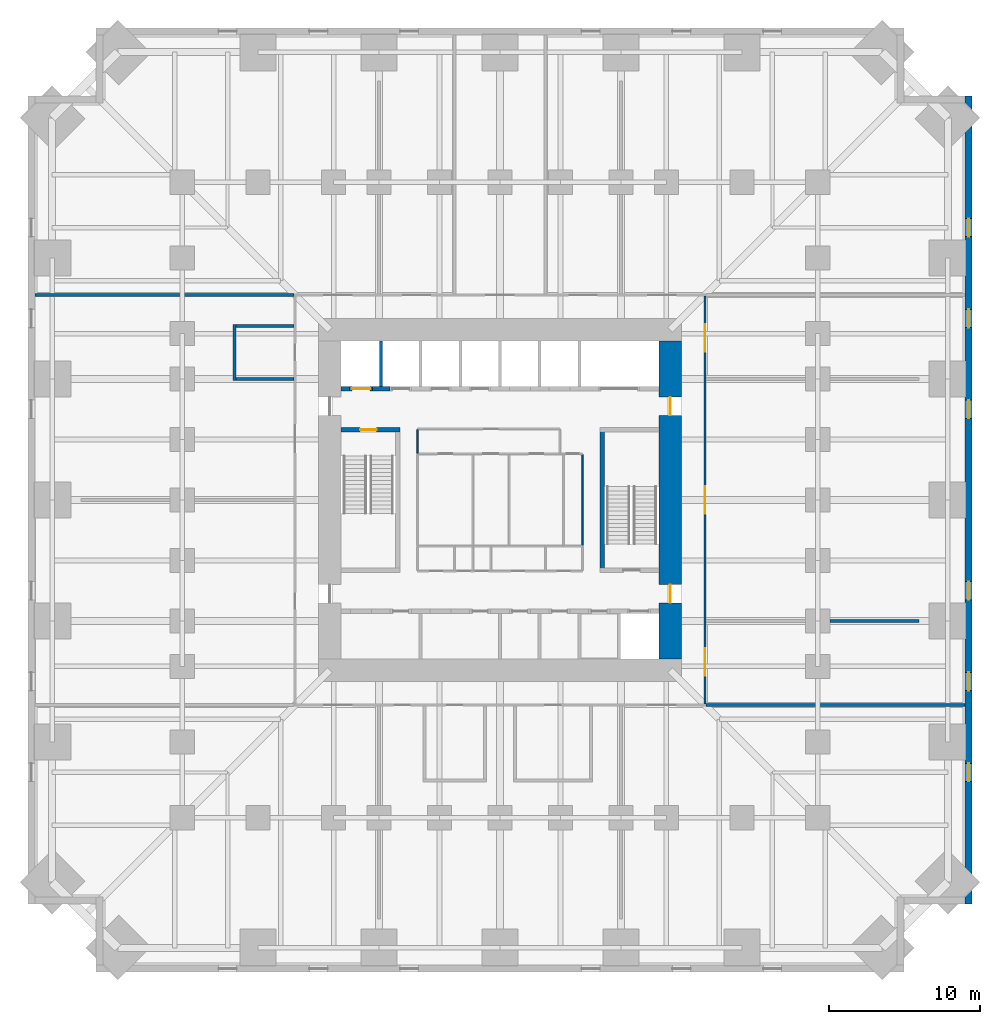
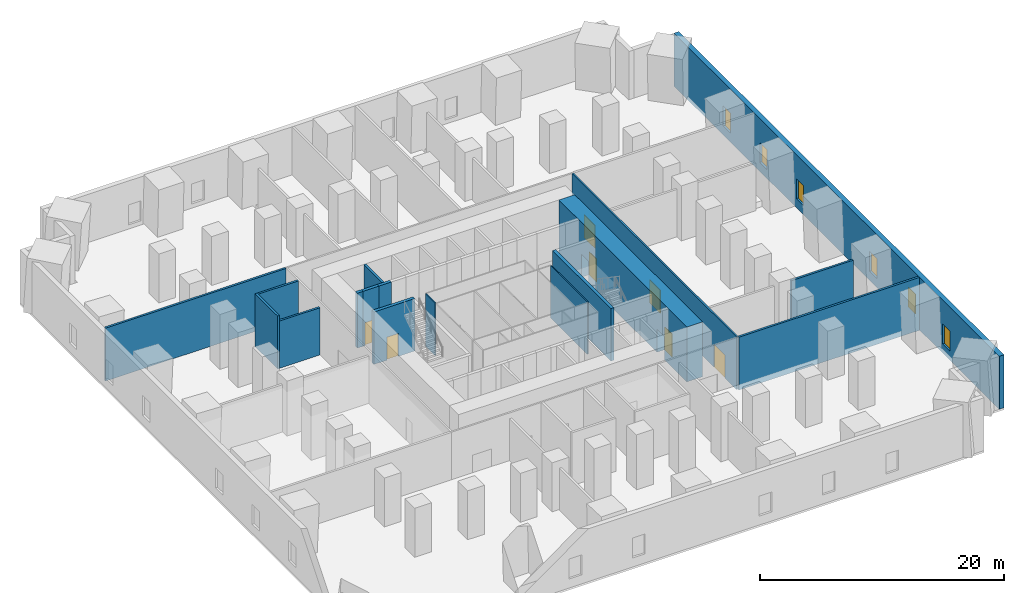
# One storey, part 5 of 8: 17 walls, 7 doors, 6 windows, 13 openings.
"""IFC4 building model written with IfcOpenShell, lengths in metres."""

from ifc_helpers import new_model, si_unit, direction, frame, frame_2d, origin, place, context, subcontext, project, spatial, rectangle, extrude, material, layer, layer_set, type_object, element, fill, save


model = new_model("IFC4")

# Units and contexts
model_context = context("Model", 3, precision=1e-05, world=origin(), true_north=direction((0.0, 1.0)))
body_context = subcontext(model_context, "Body", "Model", "MODEL_VIEW")
ifc_project = project(units=[si_unit("LENGTHUNIT", "METRE"), si_unit("AREAUNIT", "SQUARE_METRE"), si_unit("VOLUMEUNIT", "CUBIC_METRE"), si_unit("PLANEANGLEUNIT", "RADIAN"), si_unit("MASSUNIT", "GRAM", prefix="KILO")], contexts=[model_context])

# Site, building, storey
site_placement = place(None, origin())
site = spatial("IfcSite", under=ifc_project, at=site_placement, CompositionType="ELEMENT")
building_placement = place(site_placement, origin())
building = spatial("IfcBuilding", under=site, at=building_placement, Name="Peilmerk Tower", CompositionType="ELEMENT")
storey_placement = place(building_placement, frame((0.0, 0.0, 32.0)))
storey = spatial("IfcBuildingStorey", under=building, at=storey_placement, Name="L06", CompositionType="ELEMENT", Elevation=32.0)

# Wall, openings, windows
ifc_material_1 = material(Name="Precast concrete C45/55, board-marked finish", Category="concrete")
ifc_layer_1 = layer(ifc_material_1, 0.449951171875)
ifc_layer_set_1 = layer_set([ifc_layer_1], Name="Precast concrete C45/55, board-marked finish")
wall_type_1 = type_object("IfcWallType", Name="EW1 450 precast concrete facade wall, board-marked", PredefinedType="SOLIDWALL", material=ifc_layer_set_1)
wall_1_placement = place(storey_placement, frame((30.97509765625, -26.699951171875, 0.0), z_axis=(0.0, 0.0, 1.0), x_axis=(0.0, 1.0, 0.0)))
wall_1 = element("IfcWall", 1, at=wall_1_placement, inside=storey, type_object=wall_type_1, Name="Facade wall E L06", PredefinedType="SOLIDWALL", context=body_context, shape_type="SweptSolid", body=[
    extrude(rectangle(XDim=53.39990234375, YDim=0.449951171875, at=frame_2d((26.699951171875, 0.0))), origin(), (0.0, 0.0, 1.0), 5.300048828125),
])
opening_1_placement = place(wall_1_placement, frame((8.10009765625, 0.0, 0.89990234375)))
opening_1 = element("IfcOpeningElement", 2, at=opening_1_placement, cuts=wall_1, Name="Opening W2", PredefinedType="OPENING", context=body_context, shape_type="SweptSolid", body=[
    extrude(rectangle(XDim=1.199951171875, YDim=2.0, at=frame_2d((0.60009765625, 1.0))), frame((0.0, 0.23486328125, 0.0), z_axis=(0.0, -1.0, 0.0), x_axis=(1.0, 0.0, 0.0)), (0.0, 0.0, 1.0), 0.469970703125),
])
opening_2_placement = place(wall_1_placement, frame((14.10009765625, 0.0, 0.89990234375)))
opening_2 = element("IfcOpeningElement", 3, at=opening_2_placement, cuts=wall_1, Name="Opening W2", PredefinedType="OPENING", context=body_context, shape_type="SweptSolid", body=[
    extrude(rectangle(XDim=1.199951171875, YDim=2.0, at=frame_2d((0.60009765625, 1.0))), frame((0.0, 0.23486328125, 0.0), z_axis=(0.0, -1.0, 0.0), x_axis=(1.0, 0.0, 0.0)), (0.0, 0.0, 1.0), 0.469970703125),
])
opening_3_placement = place(wall_1_placement, frame((20.10009765625, 0.0, 0.89990234375)))
opening_3 = element("IfcOpeningElement", 4, at=opening_3_placement, cuts=wall_1, Name="Opening W2", PredefinedType="OPENING", context=body_context, shape_type="SweptSolid", body=[
    extrude(rectangle(XDim=1.199951171875, YDim=2.0, at=frame_2d((0.60009765625, 1.0))), frame((0.0, 0.23486328125, 0.0), z_axis=(0.0, -1.0, 0.0), x_axis=(1.0, 0.0, 0.0)), (0.0, 0.0, 1.0), 0.469970703125),
])
opening_4_placement = place(wall_1_placement, frame((32.10009765625, 0.0, 0.89990234375)))
opening_4 = element("IfcOpeningElement", 5, at=opening_4_placement, cuts=wall_1, Name="Opening W2", PredefinedType="OPENING", context=body_context, shape_type="SweptSolid", body=[
    extrude(rectangle(XDim=1.199951171875, YDim=2.0, at=frame_2d((0.60009765625, 1.0))), frame((0.0, 0.23486328125, 0.0), z_axis=(0.0, -1.0, 0.0), x_axis=(1.0, 0.0, 0.0)), (0.0, 0.0, 1.0), 0.469970703125),
])
opening_5_placement = place(wall_1_placement, frame((38.10009765625, 0.0, 0.89990234375)))
opening_5 = element("IfcOpeningElement", 6, at=opening_5_placement, cuts=wall_1, Name="Opening W2", PredefinedType="OPENING", context=body_context, shape_type="SweptSolid", body=[
    extrude(rectangle(XDim=1.199951171875, YDim=2.0, at=frame_2d((0.60009765625, 1.0))), frame((0.0, 0.23486328125, 0.0), z_axis=(0.0, -1.0, 0.0), x_axis=(1.0, 0.0, 0.0)), (0.0, 0.0, 1.0), 0.469970703125),
])
opening_6_placement = place(wall_1_placement, frame((44.10009765625, 0.0, 0.89990234375)))
opening_6 = element("IfcOpeningElement", 7, at=opening_6_placement, cuts=wall_1, Name="Opening W2", PredefinedType="OPENING", context=body_context, shape_type="SweptSolid", body=[
    extrude(rectangle(XDim=1.199951171875, YDim=2.0, at=frame_2d((0.60009765625, 1.0))), frame((0.0, 0.23486328125, 0.0), z_axis=(0.0, -1.0, 0.0), x_axis=(1.0, 0.0, 0.0)), (0.0, 0.0, 1.0), 0.469970703125),
])
ifc_material_2 = material(Name="Aluminium frame, clear double glazing", Category="aluminium")
window_type = type_object("IfcWindowType", Name="W2 1200x2000 data hall slot window", PartitioningType="SINGLE_PANEL", PredefinedType="WINDOW", material=ifc_material_2)
window_1_placement = place(opening_1_placement, origin())
window_1 = element("IfcWindow", 8, at=window_1_placement, inside=storey, type_object=window_type, Name="Window W2 L06", OverallHeight=2.0, OverallWidth=1.199951171875, PartitioningType="SINGLE_PANEL", PredefinedType="WINDOW", context=body_context, shape_type="SweptSolid", body=[
    extrude(rectangle(XDim=1.199951171875, YDim=2.0, at=frame_2d((0.60009765625, 1.0))), frame((0.0, 0.030029296875, 0.0), z_axis=(0.0, -1.0, 0.0), x_axis=(1.0, 0.0, 0.0)), (0.0, 0.0, 1.0), 0.06005859375),
])
fill(opening_1, window_1)
window_2_placement = place(opening_2_placement, origin())
window_2 = element("IfcWindow", 9, at=window_2_placement, inside=storey, type_object=window_type, Name="Window W2 L06", OverallHeight=2.0, OverallWidth=1.199951171875, PartitioningType="SINGLE_PANEL", PredefinedType="WINDOW", context=body_context, shape_type="SweptSolid", body=[
    extrude(rectangle(XDim=1.199951171875, YDim=2.0, at=frame_2d((0.60009765625, 1.0))), frame((0.0, 0.030029296875, 0.0), z_axis=(0.0, -1.0, 0.0), x_axis=(1.0, 0.0, 0.0)), (0.0, 0.0, 1.0), 0.06005859375),
])
fill(opening_2, window_2)
window_3_placement = place(opening_3_placement, origin())
window_3 = element("IfcWindow", 10, at=window_3_placement, inside=storey, type_object=window_type, Name="Window W2 L06", OverallHeight=2.0, OverallWidth=1.199951171875, PartitioningType="SINGLE_PANEL", PredefinedType="WINDOW", context=body_context, shape_type="SweptSolid", body=[
    extrude(rectangle(XDim=1.199951171875, YDim=2.0, at=frame_2d((0.60009765625, 1.0))), frame((0.0, 0.030029296875, 0.0), z_axis=(0.0, -1.0, 0.0), x_axis=(1.0, 0.0, 0.0)), (0.0, 0.0, 1.0), 0.06005859375),
])
fill(opening_3, window_3)
window_4_placement = place(opening_4_placement, origin())
window_4 = element("IfcWindow", 11, at=window_4_placement, inside=storey, type_object=window_type, Name="Window W2 L06", OverallHeight=2.0, OverallWidth=1.199951171875, PartitioningType="SINGLE_PANEL", PredefinedType="WINDOW", context=body_context, shape_type="SweptSolid", body=[
    extrude(rectangle(XDim=1.199951171875, YDim=2.0, at=frame_2d((0.60009765625, 1.0))), frame((0.0, 0.030029296875, 0.0), z_axis=(0.0, -1.0, 0.0), x_axis=(1.0, 0.0, 0.0)), (0.0, 0.0, 1.0), 0.06005859375),
])
fill(opening_4, window_4)
window_5_placement = place(opening_5_placement, origin())
window_5 = element("IfcWindow", 12, at=window_5_placement, inside=storey, type_object=window_type, Name="Window W2 L06", OverallHeight=2.0, OverallWidth=1.199951171875, PartitioningType="SINGLE_PANEL", PredefinedType="WINDOW", context=body_context, shape_type="SweptSolid", body=[
    extrude(rectangle(XDim=1.199951171875, YDim=2.0, at=frame_2d((0.60009765625, 1.0))), frame((0.0, 0.030029296875, 0.0), z_axis=(0.0, -1.0, 0.0), x_axis=(1.0, 0.0, 0.0)), (0.0, 0.0, 1.0), 0.06005859375),
])
fill(opening_5, window_5)
window_6_placement = place(opening_6_placement, origin())
window_6 = element("IfcWindow", 13, at=window_6_placement, inside=storey, type_object=window_type, Name="Window W2 L06", OverallHeight=2.0, OverallWidth=1.199951171875, PartitioningType="SINGLE_PANEL", PredefinedType="WINDOW", context=body_context, shape_type="SweptSolid", body=[
    extrude(rectangle(XDim=1.199951171875, YDim=2.0, at=frame_2d((0.60009765625, 1.0))), frame((0.0, 0.030029296875, 0.0), z_axis=(0.0, -1.0, 0.0), x_axis=(1.0, 0.0, 0.0)), (0.0, 0.0, 1.0), 0.06005859375),
])
fill(opening_6, window_6)

# Wall, openings, doors
ifc_material_3 = material(Name="Calcium silicate block", Category="masonry")
ifc_layer_2 = layer(ifc_material_3, 0.14990234375)
ifc_layer_set_2 = layer_set([ifc_layer_2], Name="Calcium silicate block")
wall_type_2 = type_object("IfcWallType", Name="IW1 150 corridor partition, EI 60", PredefinedType="PARTITIONING", material=ifc_layer_set_2)
wall_2_placement = place(storey_placement, frame((13.550048828125, -13.47509765625, 0.0), z_axis=(0.0, 0.0, 1.0), x_axis=(0.0, 1.0, 0.0)))
wall_2 = element("IfcWall", 14, at=wall_2_placement, inside=storey, type_object=wall_type_2, Name="Corridor wall E L06", PredefinedType="PARTITIONING", context=body_context, shape_type="SweptSolid", body=[
    extrude(rectangle(XDim=26.9501953125, YDim=0.14990234375, at=frame_2d((13.47509765625, 0.0))), origin(), (0.0, 0.0, 1.0), 5.300048828125),
])
opening_7_placement = place(wall_2_placement, frame((1.875, 0.0, 0.0)))
opening_7 = element("IfcOpeningElement", 15, at=opening_7_placement, cuts=wall_2, Name="Opening D2", PredefinedType="OPENING", context=body_context, shape_type="SweptSolid", body=[
    extrude(rectangle(XDim=1.800048828125, YDim=2.300048828125, at=frame_2d((0.89990234375, 1.14990234375))), frame((0.0, 0.0849609375, 0.0), z_axis=(0.0, -1.0, 0.0), x_axis=(1.0, 0.0, 0.0)), (0.0, 0.0, 1.0), 0.169921875),
])
opening_8_placement = place(wall_2_placement, frame((12.574951171875, 0.0, 0.0)))
opening_8 = element("IfcOpeningElement", 16, at=opening_8_placement, cuts=wall_2, Name="Opening D2", PredefinedType="OPENING", context=body_context, shape_type="SweptSolid", body=[
    extrude(rectangle(XDim=1.800048828125, YDim=2.300048828125, at=frame_2d((0.89990234375, 1.14990234375))), frame((0.0, 0.0849609375, 0.0), z_axis=(0.0, -1.0, 0.0), x_axis=(1.0, 0.0, 0.0)), (0.0, 0.0, 1.0), 0.169921875),
])
opening_9_placement = place(wall_2_placement, frame((23.27490234375, 0.0, 0.0)))
opening_9 = element("IfcOpeningElement", 17, at=opening_9_placement, cuts=wall_2, Name="Opening D2", PredefinedType="OPENING", context=body_context, shape_type="SweptSolid", body=[
    extrude(rectangle(XDim=1.800048828125, YDim=2.300048828125, at=frame_2d((0.89990234375, 1.14990234375))), frame((0.0, 0.0849609375, 0.0), z_axis=(0.0, -1.0, 0.0), x_axis=(1.0, 0.0, 0.0)), (0.0, 0.0, 1.0), 0.169921875),
])
ifc_material_4 = material(Name="Steel door in steel frame", Category="steel")
door_type_1 = type_object("IfcDoorType", Name="D2 1800x2300 double door, EI2 60", OperationType="DOUBLE_DOOR_DOUBLE_SWING", PredefinedType="DOOR", material=ifc_material_4)
door_1_placement = place(opening_7_placement, frame((1.800048828125, 0.0, 0.0), z_axis=(0.0, 0.0, 1.0), x_axis=(-1.0, 0.0, 0.0)))
door_1 = element("IfcDoor", 18, at=door_1_placement, inside=storey, type_object=door_type_1, Name="Door UPS room A L06", OperationType="DOUBLE_DOOR_DOUBLE_SWING", OverallHeight=2.300048828125, OverallWidth=1.800048828125, PredefinedType="DOOR", context=body_context, shape_type="SweptSolid", body=[
    extrude(rectangle(XDim=1.800048828125, YDim=2.300048828125, at=frame_2d((0.89990234375, 1.14990234375))), frame((0.0, 0.02490234375, 0.0), z_axis=(0.0, -1.0, 0.0), x_axis=(1.0, 0.0, 0.0)), (0.0, 0.0, 1.0), 0.050048828125),
])
fill(opening_7, door_1)
door_2_placement = place(opening_8_placement, frame((1.800048828125, 0.0, 0.0), z_axis=(0.0, 0.0, 1.0), x_axis=(-1.0, 0.0, 0.0)))
door_2 = element("IfcDoor", 19, at=door_2_placement, inside=storey, type_object=door_type_1, Name="Door Battery room L06", OperationType="DOUBLE_DOOR_DOUBLE_SWING", OverallHeight=2.300048828125, OverallWidth=1.800048828125, PredefinedType="DOOR", context=body_context, shape_type="SweptSolid", body=[
    extrude(rectangle(XDim=1.800048828125, YDim=2.300048828125, at=frame_2d((0.89990234375, 1.14990234375))), frame((0.0, 0.02490234375, 0.0), z_axis=(0.0, -1.0, 0.0), x_axis=(1.0, 0.0, 0.0)), (0.0, 0.0, 1.0), 0.050048828125),
])
fill(opening_8, door_2)
door_3_placement = place(opening_9_placement, frame((1.800048828125, 0.0, 0.0), z_axis=(0.0, 0.0, 1.0), x_axis=(-1.0, 0.0, 0.0)))
door_3 = element("IfcDoor", 20, at=door_3_placement, inside=storey, type_object=door_type_1, Name="Door UPS room B L06", OperationType="DOUBLE_DOOR_DOUBLE_SWING", OverallHeight=2.300048828125, OverallWidth=1.800048828125, PredefinedType="DOOR", context=body_context, shape_type="SweptSolid", body=[
    extrude(rectangle(XDim=1.800048828125, YDim=2.300048828125, at=frame_2d((0.89990234375, 1.14990234375))), frame((0.0, 0.02490234375, 0.0), z_axis=(0.0, -1.0, 0.0), x_axis=(1.0, 0.0, 0.0)), (0.0, 0.0, 1.0), 0.050048828125),
])
fill(opening_9, door_3)

# Walls
ifc_layer_3 = layer(ifc_material_3, 0.199951171875)
ifc_layer_set_3 = layer_set([ifc_layer_3], Name="Calcium silicate block")
wall_type_3 = type_object("IfcWallType", Name="IW2 200 room separating wall, EI 120", PredefinedType="PARTITIONING", material=ifc_layer_set_3)
for number, where, z_axis, x_axis, name in (
    (21, (-30.75, 13.550048828125, 0.0), (0.0, 0.0, 1.0), (1.0, 0.0, 0.0), "Room separating wall NW L06"),
    (22, (30.75, -13.550048828125, 0.0), (0.0, 0.0, 1.0), (-1.0, 0.0, 0.0), "Room separating wall SE L06"),
):
    element("IfcWall", number, at=place(storey_placement, frame(where, z_axis=z_axis, x_axis=x_axis)), inside=storey, type_object=wall_type_3, Name=name, PredefinedType="PARTITIONING", context=body_context, shape_type="SweptSolid", body=[
        extrude(rectangle(XDim=17.125, YDim=0.199951171875, at=frame_2d((8.5625, 0.0))), origin(), (0.0, 0.0, 1.0), 5.300048828125),
    ])
wall_3_placement = place(storey_placement, frame((21.800048828125, -8.0, 0.0), z_axis=(0.0, 0.0, 1.0), x_axis=(1.0, 0.0, 0.0)))
element("IfcWall", 23, at=wall_3_placement, inside=storey, type_object=wall_type_3, Name="Room separating wall E1b L06", PredefinedType="PARTITIONING", context=body_context, shape_type="SweptSolid", body=[
    extrude(rectangle(XDim=5.887451171875, YDim=0.199951171875, at=frame_2d((2.94384765625, 0.0))), origin(), (0.0, 0.0, 1.0), 4.73095703125),
])
wall_4_placement = place(storey_placement, frame((-17.550048828125, 7.89990234375, 0.0), z_axis=(0.0, 0.0, 1.0), x_axis=(0.0, 1.0, 0.0)))
element("IfcWall", 24, at=wall_4_placement, inside=storey, type_object=wall_type_3, Name="Room separating wall Store L06", PredefinedType="PARTITIONING", context=body_context, shape_type="SweptSolid", body=[
    extrude(rectangle(XDim=3.7001953125, YDim=0.199951171875, at=frame_2d((1.85009765625, 0.0))), origin(), (0.0, 0.0, 1.0), 5.300048828125),
])
wall_5_placement = place(storey_placement, frame((-13.625, 8.0, 0.0), z_axis=(0.0, 0.0, 1.0), x_axis=(-1.0, 0.0, 0.0)))
element("IfcWall", 25, at=wall_5_placement, inside=storey, type_object=wall_type_3, Name="Room separating wall Store L06", PredefinedType="PARTITIONING", context=body_context, shape_type="SweptSolid", body=[
    extrude(rectangle(XDim=3.824951171875, YDim=0.199951171875, at=frame_2d((1.91259765625, 0.0))), origin(), (0.0, 0.0, 1.0), 4.73095703125),
])
wall_6_placement = place(storey_placement, frame((-13.625, 11.5, 0.0), z_axis=(0.0, 0.0, 1.0), x_axis=(-1.0, 0.0, 0.0)))
element("IfcWall", 26, at=wall_6_placement, inside=storey, type_object=wall_type_3, Name="Room separating wall Store L06", PredefinedType="PARTITIONING", context=body_context, shape_type="SweptSolid", body=[
    extrude(rectangle(XDim=3.824951171875, YDim=0.199951171875, at=frame_2d((1.91259765625, 0.0))), origin(), (0.0, 0.0, 1.0), 5.300048828125),
])

# Wall, opening, door
ifc_material_5 = material(Name="Concrete C35/45", Category="concrete")
ifc_layer_4 = layer(ifc_material_5, 0.300048828125)
ifc_layer_set_4 = layer_set([ifc_layer_4], Name="Concrete C35/45")
wall_type_4 = type_object("IfcWallType", Name="IW3 300 concrete stair enclosure wall, EI 120", PredefinedType="SOLIDWALL", material=ifc_layer_set_4)
wall_7_placement = place(storey_placement, frame((-10.5, 4.64990234375, 0.0), z_axis=(0.0, 0.0, 1.0), x_axis=(1.0, 0.0, 0.0)))
wall_7 = element("IfcWall", 27, at=wall_7_placement, inside=storey, type_object=wall_type_4, Name="Stair 1 enclosure L06", PredefinedType="SOLIDWALL", context=body_context, shape_type="SweptSolid", body=[
    extrude(rectangle(XDim=3.89990234375, YDim=0.300048828125, at=frame_2d((1.949951171875, 0.0))), origin(), (0.0, 0.0, 1.0), 5.25),
])
opening_10_placement = place(wall_7_placement, frame((1.25, 0.0, 0.0)))
opening_10 = element("IfcOpeningElement", 28, at=opening_10_placement, cuts=wall_7, Name="Opening D4", PredefinedType="OPENING", context=body_context, shape_type="SweptSolid", body=[
    extrude(rectangle(XDim=1.10009765625, YDim=2.300048828125, at=frame_2d((0.550048828125, 1.14990234375))), frame((0.0, 0.159912109375, 0.0), z_axis=(0.0, -1.0, 0.0), x_axis=(1.0, 0.0, 0.0)), (0.0, 0.0, 1.0), 0.320068359375),
])
door_type_2 = type_object("IfcDoorType", Name="D4 1100x2300 stair door, EI2 60", OperationType="SINGLE_SWING_RIGHT", PredefinedType="DOOR", material=ifc_material_4)
door_4_placement = place(opening_10_placement, frame((1.10009765625, 0.0, 0.0), z_axis=(0.0, 0.0, 1.0), x_axis=(-1.0, 0.0, 0.0)))
door_4 = element("IfcDoor", 29, at=door_4_placement, inside=storey, type_object=door_type_2, Name="Stair 1 door L06", OperationType="SINGLE_SWING_RIGHT", OverallHeight=2.300048828125, OverallWidth=1.10009765625, PredefinedType="DOOR", context=body_context, shape_type="SweptSolid", body=[
    extrude(rectangle(XDim=1.10009765625, YDim=2.300048828125, at=frame_2d((0.550048828125, 1.14990234375))), frame((0.0, 0.02490234375, 0.0), z_axis=(0.0, -1.0, 0.0), x_axis=(1.0, 0.0, 0.0)), (0.0, 0.0, 1.0), 0.050048828125),
])
fill(opening_10, door_4)

# Walls
wall_8_placement = place(storey_placement, frame((6.75, -4.800048828125, 0.0), z_axis=(0.0, 0.0, 1.0), x_axis=(0.0, 1.0, 0.0)))
element("IfcWall", 30, at=wall_8_placement, inside=storey, type_object=wall_type_4, Name="Stair 2 enclosure L06", PredefinedType="SOLIDWALL", context=body_context, shape_type="SweptSolid", body=[
    extrude(rectangle(XDim=9.60009765625, YDim=0.300048828125, at=frame_2d((4.800048828125, 0.0))), origin(), (0.0, 0.0, 1.0), 5.25),
])
ifc_material_6 = material(Name="Calcium silicate board on steel studs", Category="steel")
ifc_layer_5 = layer(ifc_material_6, 0.10009765625)
ifc_layer_set_5 = layer_set([ifc_layer_5], Name="Calcium silicate board on steel studs")
wall_type_5 = type_object("IfcWallType", Name="IW5 100 riser enclosure wall, EI 60", PredefinedType="PARTITIONING", material=ifc_layer_set_5)
wall_9_placement = place(storey_placement, frame((5.449951171875, 3.0, 0.0), z_axis=(0.0, 0.0, 1.0), x_axis=(0.0, -1.0, 0.0)))
element("IfcWall", 31, at=wall_9_placement, inside=storey, type_object=wall_type_5, Name="Riser wall L06", PredefinedType="PARTITIONING", context=body_context, shape_type="SweptSolid", body=[
    extrude(rectangle(XDim=6.0, YDim=0.10009765625, at=frame_2d((3.0, 0.0))), origin(), (0.0, 0.0, 1.0), 5.25),
])
ifc_material_7 = material(Name="Fire-resisting plasterboard on steel studs", Category="steel")
ifc_layer_6 = layer(ifc_material_7, 0.10009765625)
ifc_layer_set_6 = layer_set([ifc_layer_6], Name="Fire-resisting plasterboard on steel studs")
wall_type_6 = type_object("IfcWallType", Name="IW9 100 WC lobby wall, EI 30", PredefinedType="PARTITIONING", material=ifc_layer_set_6)
wall_10_placement = place(storey_placement, frame((-5.449951171875, 3.10009765625, 0.0), z_axis=(0.0, 0.0, 1.0), x_axis=(0.0, 1.0, 0.0)))
element("IfcWall", 32, at=wall_10_placement, inside=storey, type_object=wall_type_6, Name="WC lobby wall L06", PredefinedType="PARTITIONING", context=body_context, shape_type="SweptSolid", body=[
    extrude(rectangle(XDim=1.5498046875, YDim=0.10009765625, at=frame_2d((0.77490234375, 0.0))), origin(), (0.0, 0.0, 1.0), 5.25),
])
ifc_layer_7 = layer(ifc_material_3, 0.199951171875)
ifc_layer_set_7 = layer_set([ifc_layer_7], Name="Calcium silicate block")
wall_type_7 = type_object("IfcWallType", Name="SH1 200 shaft dividing wall, EI 120", PredefinedType="PARTITIONING", material=ifc_layer_set_7)
wall_11_placement = place(storey_placement, frame((-7.875, 7.5, 0.0), z_axis=(0.0, 0.0, 1.0), x_axis=(0.0, 1.0, 0.0)))
element("IfcWall", 33, at=wall_11_placement, inside=storey, type_object=wall_type_7, Name="Shaft wall N FL1 L06", PredefinedType="PARTITIONING", context=body_context, shape_type="SweptSolid", body=[
    extrude(rectangle(XDim=3.0, YDim=0.199951171875, at=frame_2d((1.5, 0.0))), origin(), (0.0, 0.0, 1.0), 5.5),
])

# Wall, opening, door
ifc_layer_8 = layer(ifc_material_3, 0.300048828125)
ifc_layer_set_8 = layer_set([ifc_layer_8], Name="Calcium silicate block")
wall_type_8 = type_object("IfcWallType", Name="SH2 300 lift landing door panel, EI 120", PredefinedType="PARTITIONING", material=ifc_layer_set_8)
wall_12_placement = place(storey_placement, frame((-9.9375, 7.35009765625, 0.0), z_axis=(0.0, 0.0, 1.0), x_axis=(1.0, 0.0, 0.0)))
wall_12 = element("IfcWall", 34, at=wall_12_placement, inside=storey, type_object=wall_type_8, Name="Lift door panel N FL1 L06", PredefinedType="PARTITIONING", context=body_context, shape_type="SweptSolid", body=[
    extrude(rectangle(XDim=1.5, YDim=0.300048828125, at=frame_2d((0.75, 0.0))), origin(), (0.0, 0.0, 1.0), 5.5),
])
opening_11_placement = place(wall_12_placement, frame((0.14990234375, 0.0, 0.0)))
opening_11 = element("IfcOpeningElement", 35, at=opening_11_placement, cuts=wall_12, Name="Opening LD2", PredefinedType="OPENING", context=body_context, shape_type="SweptSolid", body=[
    extrude(rectangle(XDim=1.199951171875, YDim=2.300048828125, at=frame_2d((0.60009765625, 1.14990234375))), frame((0.0, 0.159912109375, 0.0), z_axis=(0.0, -1.0, 0.0), x_axis=(1.0, 0.0, 0.0)), (0.0, 0.0, 1.0), 0.320068359375),
])
ifc_material_8 = material(Name="Stainless steel landing door", Category="steel")
door_type_3 = type_object("IfcDoorType", Name="LD2 1200x2300 lift landing door, sliding, EI2 60", OperationType="SLIDING_TO_LEFT", PredefinedType="DOOR", material=ifc_material_8)
door_5_placement = place(opening_11_placement, frame((1.199951171875, 0.0, 0.0), z_axis=(0.0, 0.0, 1.0), x_axis=(-1.0, 0.0, 0.0)))
door_5 = element("IfcDoor", 36, at=door_5_placement, inside=storey, type_object=door_type_3, Name="Lift landing door FL1 L06", OperationType="SLIDING_TO_LEFT", OverallHeight=2.300048828125, OverallWidth=1.199951171875, PredefinedType="DOOR", context=body_context, shape_type="SweptSolid", body=[
    extrude(rectangle(XDim=1.199951171875, YDim=2.300048828125, at=frame_2d((0.60009765625, 1.14990234375))), frame((0.0, 0.02490234375, 0.0), z_axis=(0.0, -1.0, 0.0), x_axis=(1.0, 0.0, 0.0)), (0.0, 0.0, 1.0), 0.050048828125),
])
fill(opening_11, door_5)

# Wall, openings, doors
ifc_material_9 = material(Name="Concrete C55/67", Category="concrete")
ifc_layer_9 = layer(ifc_material_9, 1.5)
ifc_layer_set_9 = layer_set([ifc_layer_9], Name="Concrete C55/67")
wall_type_9 = type_object("IfcWallType", Name="SW1 1500 core wall", PredefinedType="SHEAR", material=ifc_layer_set_9)
wall_13_placement = place(storey_placement, frame((11.25, 10.5, 0.0), z_axis=(0.0, 0.0, 1.0), x_axis=(0.0, -1.0, 0.0)))
wall_13 = element("IfcWall", 37, at=wall_13_placement, inside=storey, type_object=wall_type_9, Name="Core wall E L06", PredefinedType="SHEAR", context=body_context, shape_type="SweptSolid", body=[
    extrude(rectangle(XDim=21.0, YDim=1.5, at=frame_2d((10.5, 0.0))), origin(), (0.0, 0.0, 1.0), 5.5),
])
opening_12_placement = place(wall_13_placement, frame((3.699951171875, 0.0, 0.0)))
opening_12 = element("IfcOpeningElement", 38, at=opening_12_placement, cuts=wall_13, Name="Opening D3", PredefinedType="OPENING", context=body_context, shape_type="SweptSolid", body=[
    extrude(rectangle(XDim=1.199951171875, YDim=2.300048828125, at=frame_2d((0.60009765625, 1.14990234375))), frame((0.0, 0.760009765625, 0.0), z_axis=(0.0, -1.0, 0.0), x_axis=(1.0, 0.0, 0.0)), (0.0, 0.0, 1.0), 1.52001953125),
])
opening_13_placement = place(wall_13_placement, frame((16.10009765625, 0.0, 0.0)))
opening_13 = element("IfcOpeningElement", 39, at=opening_13_placement, cuts=wall_13, Name="Opening D3", PredefinedType="OPENING", context=body_context, shape_type="SweptSolid", body=[
    extrude(rectangle(XDim=1.199951171875, YDim=2.300048828125, at=frame_2d((0.60009765625, 1.14990234375))), frame((0.0, 0.760009765625, 0.0), z_axis=(0.0, -1.0, 0.0), x_axis=(1.0, 0.0, 0.0)), (0.0, 0.0, 1.0), 1.52001953125),
])
door_type_4 = type_object("IfcDoorType", Name="D3 1200x2300 core door, EI2 60", OperationType="SINGLE_SWING_LEFT", PredefinedType="DOOR", material=ifc_material_4)
door_6_placement = place(opening_12_placement, frame((1.199951171875, 0.0, 0.0), z_axis=(0.0, 0.0, 1.0), x_axis=(-1.0, 0.0, 0.0)))
door_6 = element("IfcDoor", 40, at=door_6_placement, inside=storey, type_object=door_type_4, Name="Core door L06", OperationType="SINGLE_SWING_LEFT", OverallHeight=2.300048828125, OverallWidth=1.199951171875, PredefinedType="DOOR", context=body_context, shape_type="SweptSolid", body=[
    extrude(rectangle(XDim=1.199951171875, YDim=2.300048828125, at=frame_2d((0.60009765625, 1.14990234375))), frame((0.0, 0.02490234375, 0.0), z_axis=(0.0, -1.0, 0.0), x_axis=(1.0, 0.0, 0.0)), (0.0, 0.0, 1.0), 0.050048828125),
])
fill(opening_12, door_6)
door_7_placement = place(opening_13_placement, frame((1.199951171875, 0.0, 0.0), z_axis=(0.0, 0.0, 1.0), x_axis=(-1.0, 0.0, 0.0)))
door_7 = element("IfcDoor", 41, at=door_7_placement, inside=storey, type_object=door_type_4, Name="Core door L06", OperationType="SINGLE_SWING_LEFT", OverallHeight=2.300048828125, OverallWidth=1.199951171875, PredefinedType="DOOR", context=body_context, shape_type="SweptSolid", body=[
    extrude(rectangle(XDim=1.199951171875, YDim=2.300048828125, at=frame_2d((0.60009765625, 1.14990234375))), frame((0.0, 0.02490234375, 0.0), z_axis=(0.0, -1.0, 0.0), x_axis=(1.0, 0.0, 0.0)), (0.0, 0.0, 1.0), 0.050048828125),
])
fill(opening_13, door_7)

# Walls
ifc_layer_10 = layer(ifc_material_9, 0.300048828125)
ifc_layer_set_10 = layer_set([ifc_layer_10], Name="Concrete C55/67")
wall_type_10 = type_object("IfcWallType", Name="SW2 300 lift bank pier", PredefinedType="SHEAR", material=ifc_layer_set_10)
wall_14_placement = place(storey_placement, frame((-10.5, 7.35009765625, 0.0), z_axis=(0.0, 0.0, 1.0), x_axis=(1.0, 0.0, 0.0)))
element("IfcWall", 42, at=wall_14_placement, inside=storey, type_object=wall_type_10, Name="Lift bank pier N L06", PredefinedType="SHEAR", context=body_context, shape_type="SweptSolid", body=[
    extrude(rectangle(XDim=0.5625, YDim=0.300048828125, at=frame_2d((0.28125, 0.0))), origin(), (0.0, 0.0, 1.0), 5.5),
])
wall_15_placement = place(storey_placement, frame((-8.4375, 7.35009765625, 0.0), z_axis=(0.0, 0.0, 1.0), x_axis=(1.0, 0.0, 0.0)))
element("IfcWall", 43, at=wall_15_placement, inside=storey, type_object=wall_type_10, Name="Lift bank pier N L06", PredefinedType="SHEAR", context=body_context, shape_type="SweptSolid", body=[
    extrude(rectangle(XDim=1.175048828125, YDim=0.300048828125, at=frame_2d((0.58740234375, 0.0))), origin(), (0.0, 0.0, 1.0), 5.5),
])

save(model, "model.ifc")
